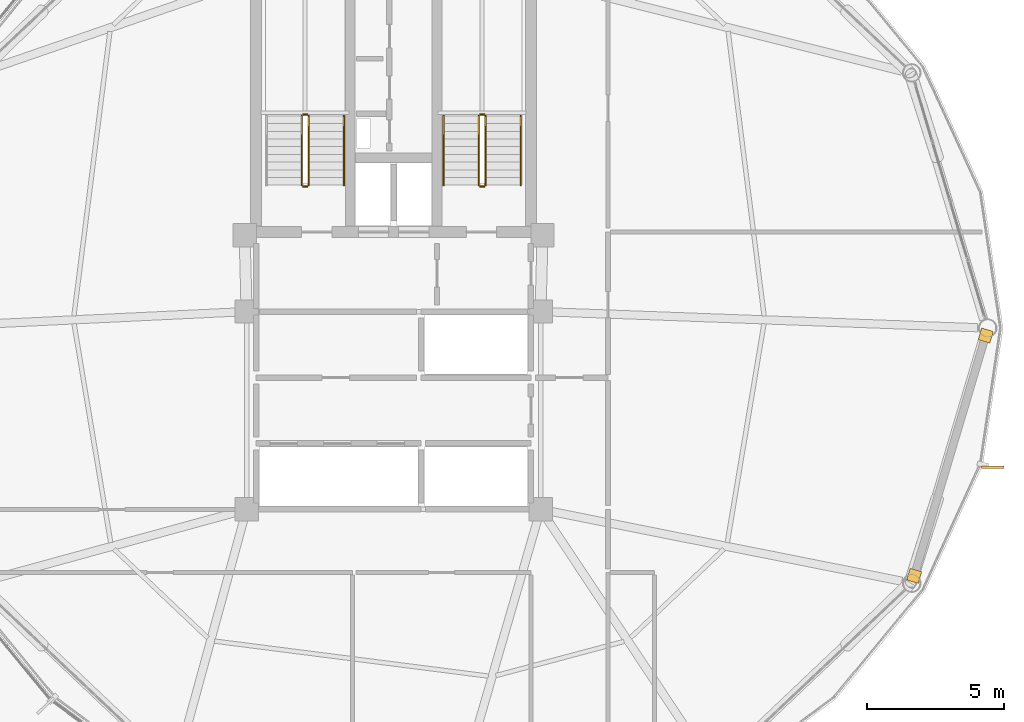
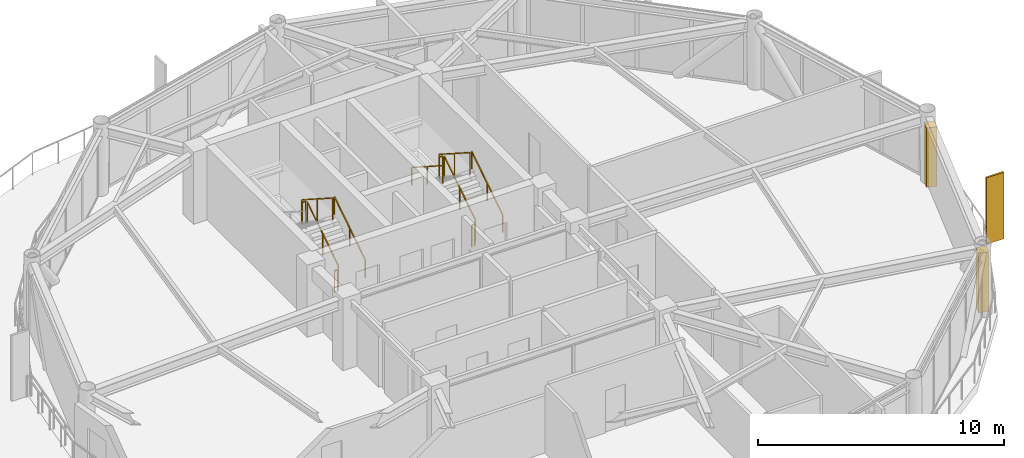
# One storey, part 24 of 25: 11 railings, 2 coverings, 1 shading device.
"""IFC4 building model written with IfcOpenShell, lengths in metres."""

from ifc_helpers import new_model, si_unit, direction, frame, origin, origin_2d, place, context, subcontext, project, spatial, rectangle, extrude, source, transform, mapped, material, layer, layer_set, type_object, type_shapes, element, save


model = new_model("IFC4")

# Units and contexts
model_context = context("Model", 3, precision=1e-05, world=origin(), true_north=direction((0.0, 1.0)))
body_context = subcontext(model_context, "Body", "Model", "MODEL_VIEW")
ifc_project = project(units=[si_unit("LENGTHUNIT", "METRE"), si_unit("AREAUNIT", "SQUARE_METRE"), si_unit("VOLUMEUNIT", "CUBIC_METRE"), si_unit("PLANEANGLEUNIT", "RADIAN"), si_unit("MASSUNIT", "GRAM", prefix="KILO")], contexts=[model_context])

# Site, building, storey
site_placement = place(None, origin())
site = spatial("IfcSite", under=ifc_project, at=site_placement, CompositionType="ELEMENT")
building_placement = place(site_placement, origin())
building = spatial("IfcBuilding", under=site, at=building_placement, Name="Varnakorn Sky Granary", CompositionType="ELEMENT")
storey_placement = place(building_placement, frame((0.0, 0.0, 178.800048828125)))
storey = spatial("IfcBuildingStorey", under=building, at=storey_placement, Name="L44", CompositionType="ELEMENT", Elevation=178.800048828125)

# Railings
ifc_material_1 = material(Name="Brushed Stainless Steel 316", Category="steel")
railing_type_1 = type_object("IfcRailingType", Name="RL-STAIR-1100", PredefinedType="GUARDRAIL", material=ifc_material_1)
railing_1_placement = place(storey_placement, frame((-0.090087890625, 5.199951171875, 0.179931640625)))
element("IfcRailing", 1, at=railing_1_placement, inside=storey, type_object=railing_type_1, Name="L44 ST-1 stair guard 1", PredefinedType="GUARDRAIL", context=body_context, shape_type="SweptSolid", body=[
    extrude(rectangle(XDim=0.048095703125, YDim=0.048095703125, at=origin_2d()), frame((0.0, 0.0, 1.076171875), z_axis=(0.0, 0.841162588446, 0.540782303519), x_axis=(-1.0, 0.0, 0.0)), (0.0, 0.0, 1.0), 2.995849609375),
    extrude(rectangle(XDim=0.0419921875, YDim=0.0419921875, at=origin_2d()), origin(), (0.0, 0.0, 1.0), 1.048095703125),
    extrude(rectangle(XDim=0.0419921875, YDim=0.0419921875, at=origin_2d()), frame((0.0, 1.260009765625, 0.81005859375)), (0.0, 0.0, 1.0), 1.048095703125),
    extrude(rectangle(XDim=0.0419921875, YDim=0.0419921875, at=origin_2d()), frame((0.0, 2.52001953125, 1.6201171875)), (0.0, 0.0, 1.0), 1.048095703125),
])
railing_2_placement = place(storey_placement, frame((-0.139892578125, 7.77001953125, 1.800048828125)))
element("IfcRailing", 2, at=railing_2_placement, inside=storey, type_object=railing_type_1, Name="L44 ST-1 stair guard 2", PredefinedType="GUARDRAIL", context=body_context, shape_type="SweptSolid", body=[
    extrude(rectangle(XDim=0.048095703125, YDim=0.048095703125, at=origin_2d()), frame((0.0, 0.0, 1.076171875), z_axis=(-1.0, 0.0, 0.0), x_axis=(0.0, -1.0, 0.0)), (0.0, 0.0, 1.0), 0.150146484375),
    extrude(rectangle(XDim=0.0419921875, YDim=0.0419921875, at=origin_2d()), origin(), (0.0, 0.0, 1.0), 1.048095703125),
    extrude(rectangle(XDim=0.0419921875, YDim=0.0419921875, at=origin_2d()), frame((-0.150146484375, 0.0, 0.0)), (0.0, 0.0, 1.0), 1.048095703125),
])
railing_3_placement = place(storey_placement, frame((-0.340087890625, 7.719970703125, 1.97998046875)))
element("IfcRailing", 3, at=railing_3_placement, inside=storey, type_object=railing_type_1, Name="L44 ST-1 stair guard 3", PredefinedType="GUARDRAIL", context=body_context, shape_type="SweptSolid", body=[
    extrude(rectangle(XDim=0.048095703125, YDim=0.048095703125, at=origin_2d()), frame((0.0, 0.0, 1.076171875), z_axis=(0.0, -0.841199657755, 0.540724639528), x_axis=(1.0, 0.0, 0.0)), (0.0, 0.0, 1.0), 2.995849609375),
    extrude(rectangle(XDim=0.0419921875, YDim=0.0419921875, at=origin_2d()), origin(), (0.0, 0.0, 1.0), 1.048095703125),
    extrude(rectangle(XDim=0.0419921875, YDim=0.0419921875, at=origin_2d()), frame((0.0, -1.260009765625, 0.81005859375)), (0.0, 0.0, 1.0), 1.048095703125),
    extrude(rectangle(XDim=0.0419921875, YDim=0.0419921875, at=origin_2d()), frame((0.0, -2.52001953125, 1.619873046875)), (0.0, 0.0, 1.0), 1.048095703125),
])
railing_4_placement = place(storey_placement, frame((-0.139892578125, 5.14990234375, 0.0)))
element("IfcRailing", 4, at=railing_4_placement, inside=storey, type_object=railing_type_1, Name="L44 ST-1 stair guard 4", PredefinedType="GUARDRAIL", context=body_context, shape_type="SweptSolid", body=[
    extrude(rectangle(XDim=0.048095703125, YDim=0.048095703125, at=origin_2d()), frame((0.0, 0.0, 1.076171875), z_axis=(-1.0, 0.0, 0.0), x_axis=(0.0, -1.0, 0.0)), (0.0, 0.0, 1.0), 0.150146484375),
    extrude(rectangle(XDim=0.0419921875, YDim=0.0419921875, at=origin_2d()), origin(), (0.0, 0.0, 1.0), 1.048095703125),
    extrude(rectangle(XDim=0.0419921875, YDim=0.0419921875, at=origin_2d()), frame((-0.150146484375, 0.0, 0.0)), (0.0, 0.0, 1.0), 1.048095703125),
])
railing_5_placement = place(storey_placement, frame((6.35009765625, 5.199951171875, 0.179931640625)))
element("IfcRailing", 5, at=railing_5_placement, inside=storey, type_object=railing_type_1, Name="L44 ST-2 stair guard 1", PredefinedType="GUARDRAIL", context=body_context, shape_type="SweptSolid", body=[
    extrude(rectangle(XDim=0.048095703125, YDim=0.048095703125, at=origin_2d()), frame((0.0, 0.0, 1.076171875), z_axis=(0.0, 0.841162588446, 0.540782303519), x_axis=(-1.0, 0.0, 0.0)), (0.0, 0.0, 1.0), 2.995849609375),
    extrude(rectangle(XDim=0.0419921875, YDim=0.0419921875, at=origin_2d()), origin(), (0.0, 0.0, 1.0), 1.048095703125),
    extrude(rectangle(XDim=0.0419921875, YDim=0.0419921875, at=origin_2d()), frame((0.0, 1.260009765625, 0.81005859375)), (0.0, 0.0, 1.0), 1.048095703125),
    extrude(rectangle(XDim=0.0419921875, YDim=0.0419921875, at=origin_2d()), frame((0.0, 2.52001953125, 1.6201171875)), (0.0, 0.0, 1.0), 1.048095703125),
])
railing_6_placement = place(storey_placement, frame((6.300048828125, 7.77001953125, 1.800048828125)))
element("IfcRailing", 6, at=railing_6_placement, inside=storey, type_object=railing_type_1, Name="L44 ST-2 stair guard 2", PredefinedType="GUARDRAIL", context=body_context, shape_type="SweptSolid", body=[
    extrude(rectangle(XDim=0.048095703125, YDim=0.048095703125, at=origin_2d()), frame((0.0, 0.0, 1.076171875), z_axis=(-1.0, 0.0, 0.0), x_axis=(0.0, -1.0, 0.0)), (0.0, 0.0, 1.0), 0.150146484375),
    extrude(rectangle(XDim=0.0419921875, YDim=0.0419921875, at=origin_2d()), origin(), (0.0, 0.0, 1.0), 1.048095703125),
    extrude(rectangle(XDim=0.0419921875, YDim=0.0419921875, at=origin_2d()), frame((-0.150146484375, 0.0, 0.0)), (0.0, 0.0, 1.0), 1.048095703125),
])
railing_7_placement = place(storey_placement, frame((6.10009765625, 7.719970703125, 1.97998046875)))
element("IfcRailing", 7, at=railing_7_placement, inside=storey, type_object=railing_type_1, Name="L44 ST-2 stair guard 3", PredefinedType="GUARDRAIL", context=body_context, shape_type="SweptSolid", body=[
    extrude(rectangle(XDim=0.048095703125, YDim=0.048095703125, at=origin_2d()), frame((0.0, 0.0, 1.076171875), z_axis=(0.0, -0.841199657755, 0.540724639528), x_axis=(1.0, 0.0, 0.0)), (0.0, 0.0, 1.0), 2.995849609375),
    extrude(rectangle(XDim=0.0419921875, YDim=0.0419921875, at=origin_2d()), origin(), (0.0, 0.0, 1.0), 1.048095703125),
    extrude(rectangle(XDim=0.0419921875, YDim=0.0419921875, at=origin_2d()), frame((0.0, -1.260009765625, 0.81005859375)), (0.0, 0.0, 1.0), 1.048095703125),
    extrude(rectangle(XDim=0.0419921875, YDim=0.0419921875, at=origin_2d()), frame((0.0, -2.52001953125, 1.619873046875)), (0.0, 0.0, 1.0), 1.048095703125),
])
railing_8_placement = place(storey_placement, frame((6.300048828125, 5.14990234375, 0.0)))
element("IfcRailing", 8, at=railing_8_placement, inside=storey, type_object=railing_type_1, Name="L44 ST-2 stair guard 4", PredefinedType="GUARDRAIL", context=body_context, shape_type="SweptSolid", body=[
    extrude(rectangle(XDim=0.048095703125, YDim=0.048095703125, at=origin_2d()), frame((0.0, 0.0, 1.076171875), z_axis=(-1.0, 0.0, 0.0), x_axis=(0.0, -1.0, 0.0)), (0.0, 0.0, 1.0), 0.150146484375),
    extrude(rectangle(XDim=0.0419921875, YDim=0.0419921875, at=origin_2d()), origin(), (0.0, 0.0, 1.0), 1.048095703125),
    extrude(rectangle(XDim=0.0419921875, YDim=0.0419921875, at=origin_2d()), frame((-0.150146484375, 0.0, 0.0)), (0.0, 0.0, 1.0), 1.048095703125),
])
railing_type_2 = type_object("IfcRailingType", Name="RL-STAIR-920", PredefinedType="HANDRAIL", material=ifc_material_1)
for number, where, name in (
    (9, (1.18994140625, 5.199951171875, 0.179931640625), "L44 ST-1 stair handrail 1"),
    (10, (7.6298828125, 5.199951171875, 0.179931640625), "L44 ST-2 stair handrail 1"),
):
    element("IfcRailing", number, at=place(storey_placement, frame(where)), inside=storey, type_object=railing_type_2, Name=name, PredefinedType="HANDRAIL", context=body_context, shape_type="SweptSolid", body=[
        extrude(rectangle(XDim=0.048095703125, YDim=0.048095703125, at=origin_2d()), frame((0.0, 0.0, 0.8759765625), z_axis=(0.0, 0.841162588446, 0.540782303519), x_axis=(-1.0, 0.0, 0.0)), (0.0, 0.0, 1.0), 2.995849609375),
        extrude(rectangle(XDim=0.0419921875, YDim=0.0419921875, at=origin_2d()), origin(), (0.0, 0.0, 1.0), 0.847900390625),
        extrude(rectangle(XDim=0.0419921875, YDim=0.0419921875, at=origin_2d()), frame((0.0, 1.260009765625, 0.81005859375)), (0.0, 0.0, 1.0), 0.847900390625),
        extrude(rectangle(XDim=0.0419921875, YDim=0.0419921875, at=origin_2d()), frame((0.0, 2.52001953125, 1.6201171875)), (0.0, 0.0, 1.0), 0.847900390625),
    ])
railing_9_placement = place(storey_placement, frame((4.820068359375, 7.719970703125, 1.97998046875)))
element("IfcRailing", 11, at=railing_9_placement, inside=storey, type_object=railing_type_2, Name="L44 ST-2 stair handrail 2", PredefinedType="HANDRAIL", context=body_context, shape_type="SweptSolid", body=[
    extrude(rectangle(XDim=0.048095703125, YDim=0.048095703125, at=origin_2d()), frame((0.0, 0.0, 0.8759765625), z_axis=(0.0, -0.841199657755, 0.540724639528), x_axis=(1.0, 0.0, 0.0)), (0.0, 0.0, 1.0), 2.995849609375),
    extrude(rectangle(XDim=0.0419921875, YDim=0.0419921875, at=origin_2d()), origin(), (0.0, 0.0, 1.0), 0.847900390625),
    extrude(rectangle(XDim=0.0419921875, YDim=0.0419921875, at=origin_2d()), frame((0.0, -1.260009765625, 0.81005859375)), (0.0, 0.0, 1.0), 0.847900390625),
    extrude(rectangle(XDim=0.0419921875, YDim=0.0419921875, at=origin_2d()), frame((0.0, -2.52001953125, 1.619873046875)), (0.0, 0.0, 1.0), 0.847900390625),
])

# Shading device
ifc_material_2 = material(Name="Anodised Bronze Aluminium Alloy 6063-T6", Category="aluminium")
shading_device_type = type_object("IfcShadingDeviceType", Name="SH-FIN-02", PredefinedType="USERDEFINED", material=ifc_material_2)
shared_shape_1 = source(origin(), body_context, "Body", "SweptSolid", [
    extrude(rectangle(XDim=0.0849609375, YDim=0.820068359375, at=origin_2d()), origin(), (0.0, 0.0, 1.0), 3.300048828125),
])
type_shapes(shading_device_type, [shared_shape_1])
shading_device_placement = place(storey_placement, frame((24.8046875, -5.064208984375, -0.0400390625), z_axis=(0.0, 0.0, 1.0), x_axis=(0.003081237155, 0.999995252978, 0.0)))
element("IfcShadingDevice", 12, at=shading_device_placement, inside=storey, type_object=shading_device_type, Name="Bronze Solar-Tracking Vertical Blade FIN L44-12", ObjectType="FIN", PredefinedType="USERDEFINED", context=body_context, shape_type="MappedRepresentation", body=[
    mapped(shared_shape_1, transform((0.0, 0.0, 0.0), x_axis=(1.0, 0.0, 0.0), y_axis=(0.0, 1.0, 0.0), z_axis=(0.0, 0.0, 1.0), scale=1.0)),
])

# Coverings
ifc_layer = layer(ifc_material_2, 0.050048828125, Name="Anodised Bronze Aluminium Alloy 6063-T6")
ifc_layer_set = layer_set([ifc_layer], Name="Anodised Bronze Aluminium Alloy 6063-T6")
covering_type = type_object("IfcCoveringType", Name="CV-CLAD-50", PredefinedType="CLADDING", material=ifc_layer_set)
shared_shape_2 = source(origin(), body_context, "Body", "SweptSolid", [
    extrude(rectangle(XDim=0.43994140625, YDim=0.43994140625, at=origin_2d()), origin(), (0.0, 0.0, 1.0), 2.949951171875),
])
type_shapes(covering_type, [shared_shape_2])
for number, where, z_axis, x_axis, name in (
    (13, (24.550537109375, -0.273193359375, -0.02001953125), (0.0, 0.0, 1.0), (-0.285521104212, -0.958372421895, 0.0), "Bronze Corner Pilaster Closure L44-P12-A"),
    (14, (21.9462890625, -9.017333984375, -0.02001953125), (0.0, 0.0, 1.0), (-0.285521104212, -0.958372421895, 0.0), "Bronze Corner Pilaster Closure L44-P12-B"),
):
    element("IfcCovering", number, at=place(storey_placement, frame(where, z_axis=z_axis, x_axis=x_axis)), inside=storey, type_object=covering_type, Name=name, PredefinedType="CLADDING", context=body_context, shape_type="MappedRepresentation", body=[
        mapped(shared_shape_2, transform((0.0, 0.0, 0.0), x_axis=(1.0, 0.0, 0.0), y_axis=(0.0, 1.0, 0.0), z_axis=(0.0, 0.0, 1.0), scale=1.0)),
    ])

save(model, "model.ifc")
